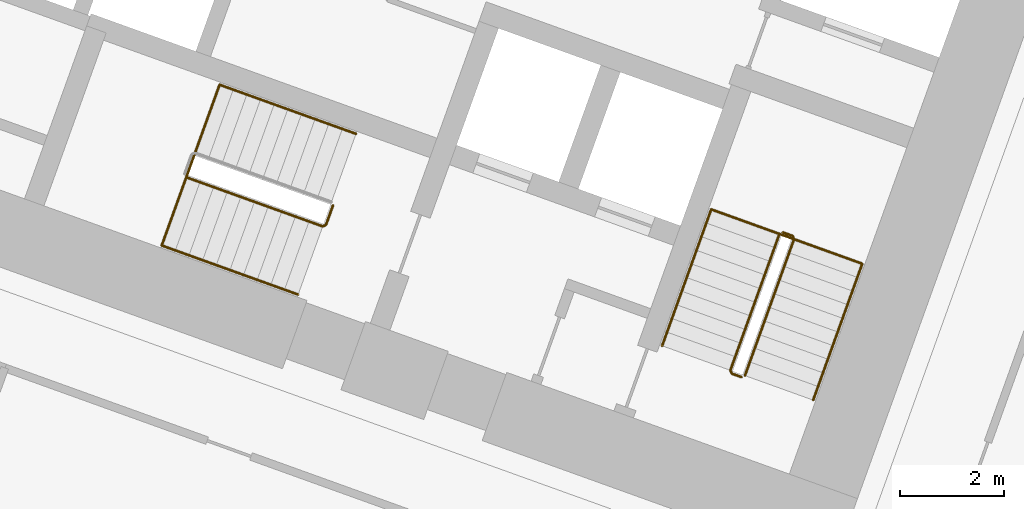
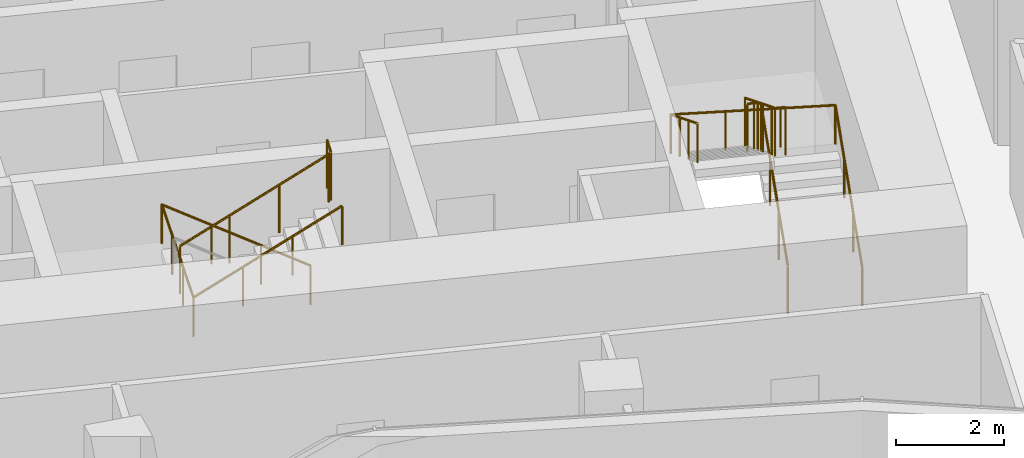
# One storey, part 20 of 20: 5 railings.
"""IFC4 building model written with IfcOpenShell, lengths in metres."""

from ifc_helpers import new_model, si_unit, direction, frame, origin, origin_2d, place, context, subcontext, project, spatial, circle, extrude, material, type_object, element, save


model = new_model("IFC4")

# Units and contexts
model_context = context("Model", 3, precision=1e-05, world=origin(), true_north=direction((0.0, 1.0)))
body_context = subcontext(model_context, "Body", "Model", "MODEL_VIEW")
ifc_project = project(units=[si_unit("LENGTHUNIT", "METRE"), si_unit("AREAUNIT", "SQUARE_METRE"), si_unit("VOLUMEUNIT", "CUBIC_METRE"), si_unit("PLANEANGLEUNIT", "RADIAN"), si_unit("MASSUNIT", "GRAM", prefix="KILO")], contexts=[model_context])

# Site, building, storey
site_placement = place(None, origin())
site = spatial("IfcSite", under=ifc_project, at=site_placement, CompositionType="ELEMENT")
building_placement = place(site_placement, origin())
building = spatial("IfcBuilding", under=site, at=building_placement, Name="Stone Belt Terrace Tower", CompositionType="ELEMENT")
storey_placement = place(building_placement, frame((0.0, 0.0, 170.60009765625)))
storey = spatial("IfcBuildingStorey", under=building, at=storey_placement, Name="L41", CompositionType="ELEMENT", Elevation=170.60009765625)

# Railings
ifc_material = material(Name="Structural steel C345", Category="steel")
railing_type_1 = type_object("IfcRailingType", Name="Stair guard 1100", PredefinedType="GUARDRAIL", material=ifc_material)
railing_1_placement = place(storey_placement, frame((24.494140625, 45.174560546875, 0.172607421875)))
element("IfcRailing", 1, at=railing_1_placement, inside=storey, type_object=railing_type_1, Name="L41 ST1B stair guard 1", PredefinedType="GUARDRAIL", context=body_context, shape_type="SweptSolid", body=[
    extrude(circle(Radius=0.02392578125, at=origin_2d()), frame((0.0, 0.0, 1.076171875), z_axis=(0.288228637646, 0.800791768495, 0.525030280985), x_axis=(-0.940908529223, 0.338660803216, 0.0)), (0.0, 0.0, 1.0), 3.289794921875),
    extrude(circle(Radius=0.02392578125, at=origin_2d()), frame((0.9482421875, 2.634521484375, 2.80322265625), z_axis=(-0.424964916, 0.905209821074, 0.0), x_axis=(-0.905209821074, -0.424964916, 0.0)), (0.0, 0.0, 1.0), 0.070556640625),
    extrude(circle(Radius=0.02392578125, at=origin_2d()), frame((0.918212890625, 2.698486328125, 2.80322265625), z_axis=(-0.941105063269, 0.338114270461, 0.0), x_axis=(-0.338114270461, -0.941105063269, 0.0)), (0.0, 0.0, 1.0), 0.199951171875),
    extrude(circle(Radius=0.02099609375, at=origin_2d()), origin(), (0.0, 0.0, 1.0), 1.052001953125),
    extrude(circle(Radius=0.02099609375, at=origin_2d()), frame((0.316162109375, 0.878173828125, 0.57568359375)), (0.0, 0.0, 1.0), 1.052001953125),
    extrude(circle(Radius=0.02099609375, at=origin_2d()), frame((0.632080078125, 1.75634765625, 1.151611328125)), (0.0, 0.0, 1.0), 1.052001953125),
    extrude(circle(Radius=0.02099609375, at=origin_2d()), frame((0.9482421875, 2.634521484375, 1.727294921875)), (0.0, 0.0, 1.0), 1.052001953125),
    extrude(circle(Radius=0.02099609375, at=origin_2d()), frame((0.918212890625, 2.698486328125, 1.727294921875)), (0.0, 0.0, 1.0), 1.052001953125),
    extrude(circle(Radius=0.02099609375, at=origin_2d()), frame((0.72998046875, 2.76611328125, 1.727294921875)), (0.0, 0.0, 1.0), 1.052001953125),
])
railing_2_placement = place(storey_placement, frame((25.16015625, 47.91064453125, 2.072509765625)))
element("IfcRailing", 2, at=railing_2_placement, inside=storey, type_object=railing_type_1, Name="L41 ST1B stair guard 2", PredefinedType="GUARDRAIL", context=body_context, shape_type="SweptSolid", body=[
    extrude(circle(Radius=0.02392578125, at=origin_2d()), frame((0.0, 0.0, 1.076171875), z_axis=(-0.288228637646, -0.800791768495, 0.525030280985), x_axis=(0.940908529223, -0.338660803216, 0.0)), (0.0, 0.0, 1.0), 3.289794921875),
    extrude(circle(Radius=0.02392578125, at=origin_2d()), frame((-0.9482421875, -2.634521484375, 2.80322265625), z_axis=(0.427789722475, -0.903878284585, 0.0), x_axis=(0.903878284585, 0.427789722475, 0.0)), (0.0, 0.0, 1.0), 0.07080078125),
    extrude(circle(Radius=0.02392578125, at=origin_2d()), frame((-0.91796875, -2.698486328125, 2.80322265625), z_axis=(0.940575576748, -0.339584429008, 0.0), x_axis=(0.339584429008, 0.940575576748, 0.0)), (0.0, 0.0, 1.0), 0.199951171875),
    extrude(circle(Radius=0.02099609375, at=origin_2d()), origin(), (0.0, 0.0, 1.0), 1.052001953125),
    extrude(circle(Radius=0.02099609375, at=origin_2d()), frame((-0.316162109375, -0.878173828125, 0.57568359375)), (0.0, 0.0, 1.0), 1.052001953125),
    extrude(circle(Radius=0.02099609375, at=origin_2d()), frame((-0.632080078125, -1.75634765625, 1.151611328125)), (0.0, 0.0, 1.0), 1.052001953125),
    extrude(circle(Radius=0.02099609375, at=origin_2d()), frame((-0.9482421875, -2.634521484375, 1.727294921875)), (0.0, 0.0, 1.0), 1.052001953125),
    extrude(circle(Radius=0.02099609375, at=origin_2d()), frame((-0.91796875, -2.698486328125, 1.727294921875)), (0.0, 0.0, 1.0), 1.052001953125),
    extrude(circle(Radius=0.02099609375, at=origin_2d()), frame((-0.72998046875, -2.766357421875, 1.727294921875)), (0.0, 0.0, 1.0), 1.052001953125),
])
railing_3_placement = place(storey_placement, frame((13.703857421875, 49.004638671875, 2.072509765625)))
element("IfcRailing", 3, at=railing_3_placement, inside=storey, type_object=railing_type_1, Name="L41 ST2B stair guard 2", PredefinedType="GUARDRAIL", context=body_context, shape_type="SweptSolid", body=[
    extrude(circle(Radius=0.02392578125, at=origin_2d()), frame((0.0, 0.0, 1.076171875), z_axis=(0.800808895155, -0.288160591223, 0.52504150989), x_axis=(0.338583606334, 0.940936311087, 0.0)), (0.0, 0.0, 1.0), 3.289794921875),
    extrude(circle(Radius=0.02392578125, at=origin_2d()), frame((2.634521484375, -0.947998046875, 2.80322265625), z_axis=(0.905209821074, 0.424964916, 0.0), x_axis=(-0.424964916, 0.905209821074, 0.0)), (0.0, 0.0, 1.0), 0.070556640625),
    extrude(circle(Radius=0.02392578125, at=origin_2d()), frame((2.698486328125, -0.91796875, 2.80322265625), z_axis=(0.338654645739, 0.940910745459, 0.0), x_axis=(-0.940910745459, 0.338654645739, 0.0)), (0.0, 0.0, 1.0), 0.400146484375),
    extrude(circle(Radius=0.02099609375, at=origin_2d()), origin(), (0.0, 0.0, 1.0), 1.052001953125),
    extrude(circle(Radius=0.02099609375, at=origin_2d()), frame((0.878173828125, -0.31591796875, 0.57568359375)), (0.0, 0.0, 1.0), 1.052001953125),
    extrude(circle(Radius=0.02099609375, at=origin_2d()), frame((1.75634765625, -0.632080078125, 1.151611328125)), (0.0, 0.0, 1.0), 1.052001953125),
    extrude(circle(Radius=0.02099609375, at=origin_2d()), frame((2.634521484375, -0.947998046875, 1.727294921875)), (0.0, 0.0, 1.0), 1.052001953125),
    extrude(circle(Radius=0.02099609375, at=origin_2d()), frame((2.698486328125, -0.91796875, 1.727294921875)), (0.0, 0.0, 1.0), 1.052001953125),
    extrude(circle(Radius=0.02099609375, at=origin_2d()), frame((2.833984375, -0.54150390625, 1.727294921875)), (0.0, 0.0, 1.0), 1.052001953125),
])
railing_type_2 = type_object("IfcRailingType", Name="Stair handrail 900", PredefinedType="HANDRAIL", material=ifc_material)
railing_4_placement = place(storey_placement, frame((25.8115234375, 44.700439453125, 0.172607421875)))
element("IfcRailing", 4, at=railing_4_placement, inside=storey, type_object=railing_type_2, Name="L41 ST1B stair handrail 1", PredefinedType="HANDRAIL", context=body_context, shape_type="SweptSolid", body=[
    extrude(circle(Radius=0.02392578125, at=origin_2d()), frame((0.0, 0.0, 0.8759765625), z_axis=(0.288228637646, 0.800791768495, 0.525030280985), x_axis=(-0.940908529223, 0.338660803216, 0.0)), (0.0, 0.0, 1.0), 3.289794921875),
    extrude(circle(Radius=0.02392578125, at=origin_2d()), frame((0.9482421875, 2.634521484375, 2.60302734375), z_axis=(-0.939464517435, 0.338106580597, 0.055591012205), x_axis=(-0.338630230244, -0.940919532779, 0.0)), (0.0, 0.0, 1.0), 3.10498046875),
    extrude(circle(Radius=0.02392578125, at=origin_2d()), frame((-1.96875, 3.684326171875, 2.77587890625), z_axis=(-0.288160591223, -0.800808895155, 0.52504150989), x_axis=(0.940936311087, -0.338583606334, 0.0)), (0.0, 0.0, 1.0), 3.289794921875),
    extrude(circle(Radius=0.02099609375, at=origin_2d()), origin(), (0.0, 0.0, 1.0), 0.851806640625),
    extrude(circle(Radius=0.02099609375, at=origin_2d()), frame((0.316162109375, 0.878173828125, 0.57568359375)), (0.0, 0.0, 1.0), 0.851806640625),
    extrude(circle(Radius=0.02099609375, at=origin_2d()), frame((0.632080078125, 1.75634765625, 1.151611328125)), (0.0, 0.0, 1.0), 0.851806640625),
    extrude(circle(Radius=0.02099609375, at=origin_2d()), frame((0.9482421875, 2.634521484375, 1.727294921875)), (0.0, 0.0, 1.0), 0.851806640625),
    extrude(circle(Radius=0.02099609375, at=origin_2d()), frame((-0.024169921875, 2.984375, 1.784912109375)), (0.0, 0.0, 1.0), 0.851806640625),
    extrude(circle(Radius=0.02099609375, at=origin_2d()), frame((-0.996337890625, 3.33447265625, 1.84228515625)), (0.0, 0.0, 1.0), 0.851806640625),
    extrude(circle(Radius=0.02099609375, at=origin_2d()), frame((-1.96875, 3.684326171875, 1.89990234375)), (0.0, 0.0, 1.0), 0.851806640625),
    extrude(circle(Radius=0.02099609375, at=origin_2d()), frame((-2.28466796875, 2.80615234375, 2.4755859375)), (0.0, 0.0, 1.0), 0.851806640625),
    extrude(circle(Radius=0.02099609375, at=origin_2d()), frame((-2.600830078125, 1.927978515625, 3.051513671875)), (0.0, 0.0, 1.0), 0.851806640625),
    extrude(circle(Radius=0.02099609375, at=origin_2d()), frame((-2.916748046875, 1.0498046875, 3.627197265625)), (0.0, 0.0, 1.0), 0.851806640625),
])
railing_5_placement = place(storey_placement, frame((16.981689453125, 49.84423828125, 0.172607421875)))
element("IfcRailing", 5, at=railing_5_placement, inside=storey, type_object=railing_type_2, Name="L41 ST2B stair handrail 1", PredefinedType="HANDRAIL", context=body_context, shape_type="SweptSolid", body=[
    extrude(circle(Radius=0.02392578125, at=origin_2d()), frame((0.0, 0.0, 0.8759765625), z_axis=(-0.800791768495, 0.288228637646, 0.525030280985), x_axis=(-0.338660803216, -0.940908529223, 0.0)), (0.0, 0.0, 1.0), 3.289794921875),
    extrude(circle(Radius=0.02392578125, at=origin_2d()), frame((-2.634521484375, 0.9482421875, 2.60302734375), z_axis=(-0.338160254016, -0.939637778147, 0.052234935458), x_axis=(0.940922302781, -0.338622533404, 0.0)), (0.0, 0.0, 1.0), 3.304443359375),
    extrude(circle(Radius=0.02392578125, at=origin_2d()), frame((-3.751953125, -2.15673828125, 2.77587890625), z_axis=(0.800791768495, -0.288228637646, 0.525030280985), x_axis=(0.338660803216, 0.940908529223, 0.0)), (0.0, 0.0, 1.0), 3.289794921875),
    extrude(circle(Radius=0.02099609375, at=origin_2d()), origin(), (0.0, 0.0, 1.0), 0.851806640625),
    extrude(circle(Radius=0.02099609375, at=origin_2d()), frame((-0.878173828125, 0.316162109375, 0.57568359375)), (0.0, 0.0, 1.0), 0.851806640625),
    extrude(circle(Radius=0.02099609375, at=origin_2d()), frame((-1.75634765625, 0.632080078125, 1.151611328125)), (0.0, 0.0, 1.0), 0.851806640625),
    extrude(circle(Radius=0.02099609375, at=origin_2d()), frame((-2.634521484375, 0.9482421875, 1.727294921875)), (0.0, 0.0, 1.0), 0.851806640625),
    extrude(circle(Radius=0.02099609375, at=origin_2d()), frame((-3.007080078125, -0.086669921875, 1.784912109375)), (0.0, 0.0, 1.0), 0.851806640625),
    extrude(circle(Radius=0.02099609375, at=origin_2d()), frame((-3.37939453125, -1.121826171875, 1.84228515625)), (0.0, 0.0, 1.0), 0.851806640625),
    extrude(circle(Radius=0.02099609375, at=origin_2d()), frame((-3.751953125, -2.15673828125, 1.89990234375)), (0.0, 0.0, 1.0), 0.851806640625),
    extrude(circle(Radius=0.02099609375, at=origin_2d()), frame((-2.873779296875, -2.472900390625, 2.4755859375)), (0.0, 0.0, 1.0), 0.851806640625),
    extrude(circle(Radius=0.02099609375, at=origin_2d()), frame((-1.99560546875, -2.788818359375, 3.051513671875)), (0.0, 0.0, 1.0), 0.851806640625),
    extrude(circle(Radius=0.02099609375, at=origin_2d()), frame((-1.117431640625, -3.10498046875, 3.627197265625)), (0.0, 0.0, 1.0), 0.851806640625),
])

save(model, "model.ifc")
